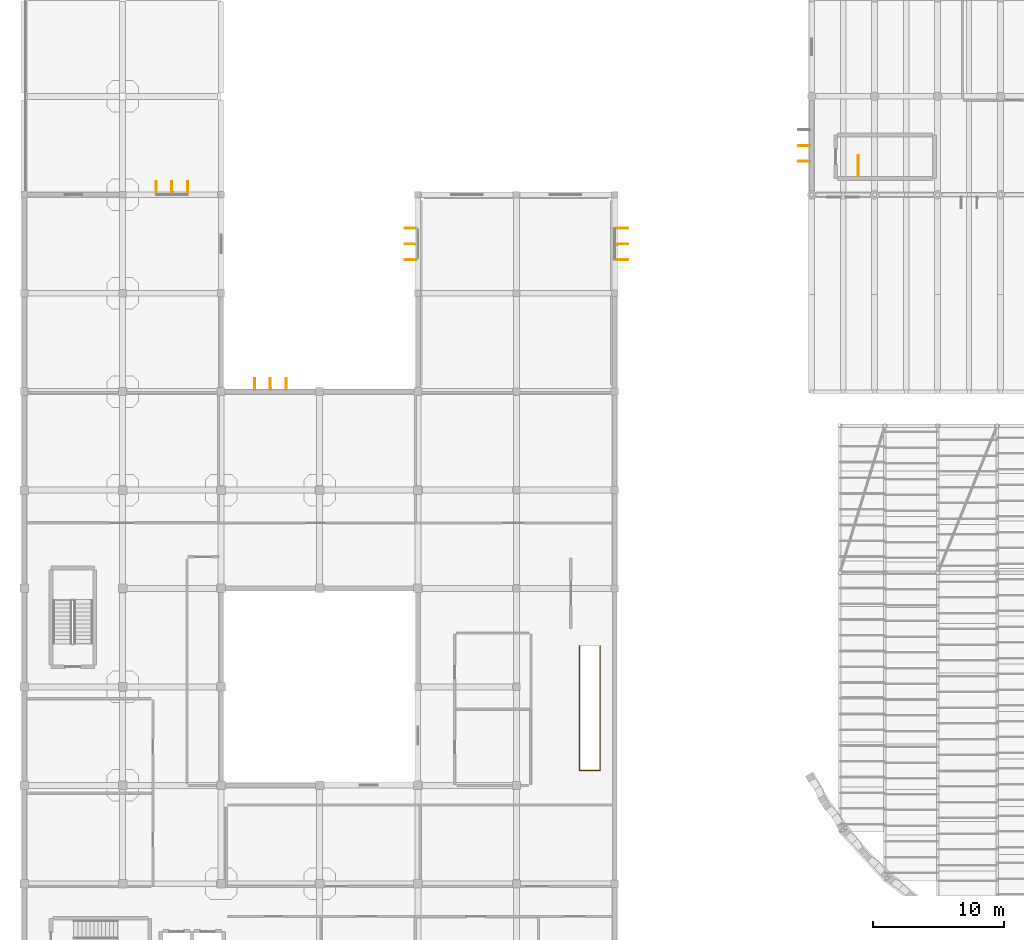
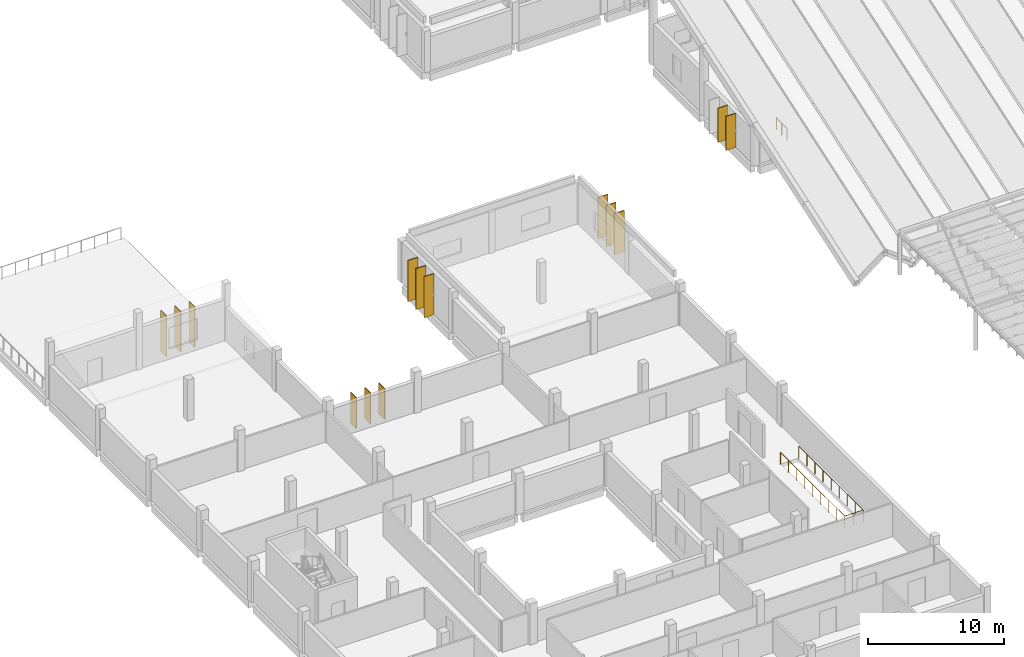
# One storey, part 40 of 47: 14 shading devices, 2 railings.
"""IFC4 building model written with IfcOpenShell, lengths in metres."""

from ifc_helpers import new_model, si_unit, direction, frame, origin, origin_2d, place, context, subcontext, project, spatial, hollow_rectangle, circle, extrude, material, material_profile, profile_set, type_object, element, save


model = new_model("IFC4")

# Units and contexts
model_context = context("Model", 3, precision=1e-05, world=origin(), true_north=direction((0.0, 1.0)))
body_context = subcontext(model_context, "Body", "Model", "MODEL_VIEW")
ifc_project = project(units=[si_unit("LENGTHUNIT", "METRE"), si_unit("AREAUNIT", "SQUARE_METRE"), si_unit("VOLUMEUNIT", "CUBIC_METRE"), si_unit("PLANEANGLEUNIT", "RADIAN"), si_unit("MASSUNIT", "GRAM", prefix="KILO")], contexts=[model_context])

# Site, building, storey
site_placement = place(None, origin())
site = spatial("IfcSite", under=ifc_project, at=site_placement, CompositionType="ELEMENT")
building_placement = place(site_placement, origin())
building = spatial("IfcBuilding", under=site, at=building_placement, Name="Mawjan Specialist Oncology Clinic", CompositionType="ELEMENT")
storey_placement = place(building_placement, frame((0.0, 0.0, 9.5)))
storey = spatial("IfcBuildingStorey", under=building, at=storey_placement, Name="L02", CompositionType="ELEMENT", Elevation=9.5)

# Railings
ifc_material_1 = material(Name="Powder-coated steel stair guard with vertical infill pickets", Category="steel")
railing_type = type_object("IfcRailingType", Name="GR-110", PredefinedType="GUARDRAIL", material=ifc_material_1)
railing_1_placement = place(storey_placement, frame((63.550048828125, 62.199951171875, 0.0)))
element("IfcRailing", 1, at=railing_1_placement, inside=storey, type_object=railing_type, Name="L02 ST-07 top well guard 1", PredefinedType="GUARDRAIL", context=body_context, shape_type="SweptSolid", body=[
    extrude(circle(Radius=0.02392578125, at=origin_2d()), frame((0.0, 0.0, 1.076171875), z_axis=(0.0, 1.0, 0.0), x_axis=(-1.0, 0.0, 0.0)), (0.0, 0.0, 1.0), 1.60009765625),
    extrude(circle(Radius=0.02099609375, at=origin_2d()), origin(), (0.0, 0.0, 1.0), 1.052001953125),
    extrude(circle(Radius=0.02099609375, at=origin_2d()), frame((0.0, 0.800048828125, 0.0)), (0.0, 0.0, 1.0), 1.052001953125),
    extrude(circle(Radius=0.02099609375, at=origin_2d()), frame((0.0, 1.60009765625, 0.0)), (0.0, 0.0, 1.0), 1.052001953125),
])
railing_2_placement = place(storey_placement, frame((42.31494140625, 26.39990234375, 0.0)))
element("IfcRailing", 2, at=railing_2_placement, inside=storey, type_object=railing_type, Name="ST-11 Well Perimeter Guard 1", PredefinedType="GUARDRAIL", context=body_context, shape_type="SweptSolid", body=[
    extrude(circle(Radius=0.02392578125, at=origin_2d()), frame((0.0, 0.0, 1.076171875), z_axis=(0.0, -1.0, 0.0), x_axis=(1.0, 0.0, 0.0)), (0.0, 0.0, 1.0), 9.4599609375),
    extrude(circle(Radius=0.02392578125, at=origin_2d()), frame((0.0, -9.4599609375, 1.076171875), z_axis=(1.0, 0.0, 0.0), x_axis=(0.0, 1.0, 0.0)), (0.0, 0.0, 1.0), 1.570068359375),
    extrude(circle(Radius=0.02392578125, at=origin_2d()), frame((1.570068359375, -9.4599609375, 1.076171875), z_axis=(0.0, 1.0, 0.0), x_axis=(-1.0, 0.0, 0.0)), (0.0, 0.0, 1.0), 9.4599609375),
    extrude(circle(Radius=0.02099609375, at=origin_2d()), origin(), (0.0, 0.0, 1.0), 1.052001953125),
    extrude(circle(Radius=0.02099609375, at=origin_2d()), frame((0.0, -1.1826171875, 0.0)), (0.0, 0.0, 1.0), 1.052001953125),
    extrude(circle(Radius=0.02099609375, at=origin_2d()), frame((0.0, -2.364990234375, 0.0)), (0.0, 0.0, 1.0), 1.052001953125),
    extrude(circle(Radius=0.02099609375, at=origin_2d()), frame((0.0, -3.54736328125, 0.0)), (0.0, 0.0, 1.0), 1.052001953125),
    extrude(circle(Radius=0.02099609375, at=origin_2d()), frame((0.0, -4.72998046875, 0.0)), (0.0, 0.0, 1.0), 1.052001953125),
    extrude(circle(Radius=0.02099609375, at=origin_2d()), frame((0.0, -5.91259765625, 0.0)), (0.0, 0.0, 1.0), 1.052001953125),
    extrude(circle(Radius=0.02099609375, at=origin_2d()), frame((0.0, -7.094970703125, 0.0)), (0.0, 0.0, 1.0), 1.052001953125),
    extrude(circle(Radius=0.02099609375, at=origin_2d()), frame((0.0, -8.27734375, 0.0)), (0.0, 0.0, 1.0), 1.052001953125),
    extrude(circle(Radius=0.02099609375, at=origin_2d()), frame((0.0, -9.4599609375, 0.0)), (0.0, 0.0, 1.0), 1.052001953125),
    extrude(circle(Radius=0.02099609375, at=origin_2d()), frame((0.78515625, -9.4599609375, 0.0)), (0.0, 0.0, 1.0), 1.052001953125),
    extrude(circle(Radius=0.02099609375, at=origin_2d()), frame((1.570068359375, -9.4599609375, 0.0)), (0.0, 0.0, 1.0), 1.052001953125),
    extrude(circle(Radius=0.02099609375, at=origin_2d()), frame((1.570068359375, -8.27734375, 0.0)), (0.0, 0.0, 1.0), 1.052001953125),
    extrude(circle(Radius=0.02099609375, at=origin_2d()), frame((1.570068359375, -7.094970703125, 0.0)), (0.0, 0.0, 1.0), 1.052001953125),
    extrude(circle(Radius=0.02099609375, at=origin_2d()), frame((1.570068359375, -5.91259765625, 0.0)), (0.0, 0.0, 1.0), 1.052001953125),
    extrude(circle(Radius=0.02099609375, at=origin_2d()), frame((1.570068359375, -4.72998046875, 0.0)), (0.0, 0.0, 1.0), 1.052001953125),
    extrude(circle(Radius=0.02099609375, at=origin_2d()), frame((1.570068359375, -3.54736328125, 0.0)), (0.0, 0.0, 1.0), 1.052001953125),
    extrude(circle(Radius=0.02099609375, at=origin_2d()), frame((1.570068359375, -2.364990234375, 0.0)), (0.0, 0.0, 1.0), 1.052001953125),
    extrude(circle(Radius=0.02099609375, at=origin_2d()), frame((1.570068359375, -1.1826171875, 0.0)), (0.0, 0.0, 1.0), 1.052001953125),
    extrude(circle(Radius=0.02099609375, at=origin_2d()), frame((1.570068359375, 0.0, 0.0)), (0.0, 0.0, 1.0), 1.052001953125),
])

# Shading devices
ifc_material_2 = material(Name="Bronze-anodised aluminium 6063-T6", Category="aluminium")
ifc_material_profile = material_profile(ifc_material_2, hollow_rectangle(XDim=0.070068359375, YDim=0.85009765625, WallThickness=0.0048828125, at=origin_2d()), Name="FIN 850x70x5", Category="aluminium")
ifc_profile_set = profile_set([ifc_material_profile], Name="Bronze-anodised aluminium 6063-T6")
shading_device_type = type_object("IfcShadingDeviceType", Name="SF-850", PredefinedType="USERDEFINED", material=ifc_profile_set)
for number, where, z_axis, x_axis, name in (
    (3, (17.550048828125, 46.389892578125, 0.0), (0.0, 0.0, 1.0), (1.0, 0.0, 0.0), "L02 Vertical Solar Fin SF-0019"),
    (4, (18.75, 46.389892578125, 0.0), (0.0, 0.0, 1.0), (1.0, 0.0, 0.0), "L02 Vertical Solar Fin SF-0020"),
    (5, (19.949951171875, 46.389892578125, 0.0), (0.0, 0.0, 1.0), (1.0, 0.0, 0.0), "L02 Vertical Solar Fin SF-0021"),
):
    element("IfcShadingDevice", number, at=place(storey_placement, frame(where, z_axis=z_axis, x_axis=x_axis)), inside=storey, type_object=shading_device_type, Name=name, ObjectType="SOLAR FIN", PredefinedType="USERDEFINED", context=body_context, shape_type="SweptSolid", body=[
        extrude(hollow_rectangle(XDim=0.070068359375, YDim=0.85009765625, WallThickness=0.0048828125, at=origin_2d()), origin(), (0.0, 0.0, 1.0), 2.784912109375),
    ])
for number, where, z_axis, x_axis, name in (
    (6, (29.409912109375, 55.85009765625, 0.0), (0.0, 0.0, 1.0), (0.0, 1.0, 0.0), "L02 Vertical Solar Fin SF-0022"),
    (7, (29.409912109375, 57.050048828125, 0.0), (0.0, 0.0, 1.0), (0.0, 1.0, 0.0), "L02 Vertical Solar Fin SF-0023"),
    (8, (29.409912109375, 58.25, 0.0), (0.0, 0.0, 1.0), (0.0, 1.0, 0.0), "L02 Vertical Solar Fin SF-0024"),
    (9, (45.590087890625, 58.25, 0.0), (0.0, 0.0, 1.0), (0.0, -1.0, 0.0), "L02 Vertical Solar Fin SF-0025"),
    (10, (45.590087890625, 57.050048828125, 0.0), (0.0, 0.0, 1.0), (0.0, -1.0, 0.0), "L02 Vertical Solar Fin SF-0026"),
    (11, (45.590087890625, 55.85009765625, 0.0), (0.0, 0.0, 1.0), (0.0, -1.0, 0.0), "L02 Vertical Solar Fin SF-0027"),
):
    element("IfcShadingDevice", number, at=place(storey_placement, frame(where, z_axis=z_axis, x_axis=x_axis)), inside=storey, type_object=shading_device_type, Name=name, ObjectType="SOLAR FIN", PredefinedType="USERDEFINED", context=body_context, shape_type="SweptSolid", body=[
        extrude(hollow_rectangle(XDim=0.070068359375, YDim=0.85009765625, WallThickness=0.0048828125, at=origin_2d()), origin(), (0.0, 0.0, 1.0), 3.699951171875),
    ])
for number, where, z_axis, x_axis, name in (
    (12, (10.050048828125, 61.389892578125, 0.0), (0.0, 0.0, 1.0), (1.0, 0.0, 0.0), "L02 Vertical Solar Fin SF-0028"),
    (13, (11.25, 61.389892578125, 0.0), (0.0, 0.0, 1.0), (1.0, 0.0, 0.0), "L02 Vertical Solar Fin SF-0029"),
    (14, (12.449951171875, 61.389892578125, 0.0), (0.0, 0.0, 1.0), (1.0, 0.0, 0.0), "L02 Vertical Solar Fin SF-0030"),
):
    element("IfcShadingDevice", number, at=place(storey_placement, frame(where, z_axis=z_axis, x_axis=x_axis)), inside=storey, type_object=shading_device_type, Name=name, ObjectType="SOLAR FIN", PredefinedType="USERDEFINED", context=body_context, shape_type="SweptSolid", body=[
        extrude(hollow_rectangle(XDim=0.070068359375, YDim=0.85009765625, WallThickness=0.0048828125, at=origin_2d()), origin(), (0.0, 0.0, 1.0), 3.669921875),
    ])
for number, where, z_axis, x_axis, name in (
    (15, (59.409912109375, 63.35009765625, 0.0), (0.0, 0.0, 1.0), (0.0, 1.0, 0.0), "L02 Vertical Solar Fin SF-0053"),
    (16, (59.409912109375, 64.550048828125, 0.0), (0.0, 0.0, 1.0), (0.0, 1.0, 0.0), "L02 Vertical Solar Fin SF-0054"),
):
    element("IfcShadingDevice", number, at=place(storey_placement, frame(where, z_axis=z_axis, x_axis=x_axis)), inside=storey, type_object=shading_device_type, Name=name, ObjectType="SOLAR FIN", PredefinedType="USERDEFINED", context=body_context, shape_type="SweptSolid", body=[
        extrude(hollow_rectangle(XDim=0.070068359375, YDim=0.85009765625, WallThickness=0.0048828125, at=origin_2d()), origin(), (0.0, 0.0, 1.0), 3.0576171875),
    ])

save(model, "model.ifc")
